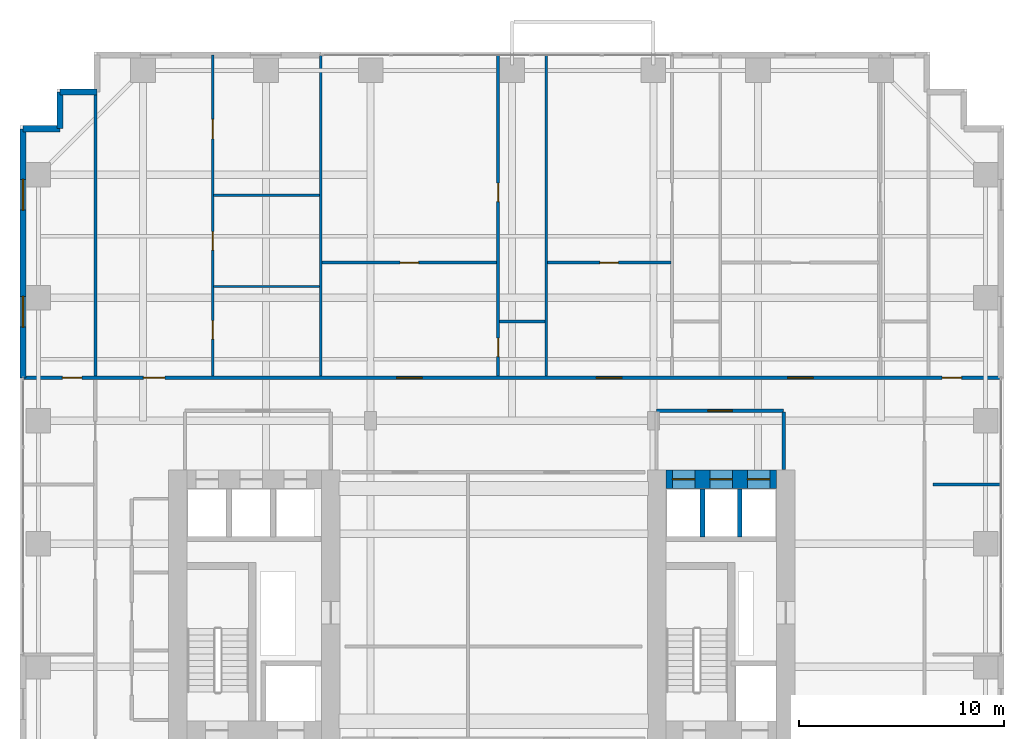
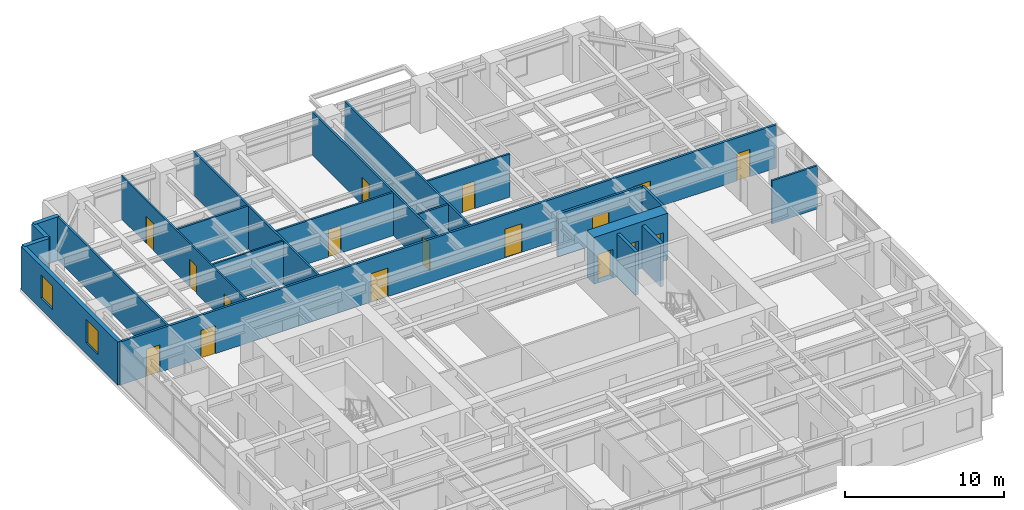
# One storey, part 22 of 24: 21 walls, 17 doors, 2 windows, 19 openings.
"""IFC4 building model written with IfcOpenShell, lengths in metres."""

from ifc_helpers import new_model, si_unit, direction, frame, frame_2d, origin, place, context, subcontext, project, spatial, rectangle, extrude, source, transform, mapped, material, layer, layer_set, type_object, element, fill, save


model = new_model("IFC4")

# Units and contexts
model_context = context("Model", 3, precision=1e-05, world=origin(), true_north=direction((0.0, 1.0)))
body_context = subcontext(model_context, "Body", "Model", "MODEL_VIEW")
ifc_project = project(units=[si_unit("LENGTHUNIT", "METRE"), si_unit("AREAUNIT", "SQUARE_METRE"), si_unit("VOLUMEUNIT", "CUBIC_METRE"), si_unit("PLANEANGLEUNIT", "RADIAN"), si_unit("MASSUNIT", "GRAM", prefix="KILO")], contexts=[model_context])

# Site, building, storey
site_placement = place(None, origin())
site = spatial("IfcSite", under=ifc_project, at=site_placement, CompositionType="ELEMENT")
building_placement = place(site_placement, origin())
building = spatial("IfcBuilding", under=site, at=building_placement, Name="Khoralis Quay Care Tower", CompositionType="ELEMENT")
storey_placement = place(building_placement, frame((0.0, 0.0, 54.89990234375)))
storey = spatial("IfcBuildingStorey", under=building, at=storey_placement, Name="L14", CompositionType="ELEMENT", Elevation=54.89990234375)

# Wall, openings, doors
ifc_material_1 = material(Name="Concrete C80/95", Category="concrete")
ifc_layer_1 = layer(ifc_material_1, 0.89990234375)
ifc_layer_set_1 = layer_set([ifc_layer_1], Name="Concrete C80/95")
wall_type_1 = type_object("IfcWallType", Name="WL-CORE-900", PredefinedType="SHEAR", material=ifc_layer_set_1)
wall_1_placement = place(storey_placement, frame((31.52001953125, 27.14990234375, 0.0), z_axis=(0.0, 0.0, 1.0), x_axis=(1.0, 0.0, 0.0)))
wall_1 = element("IfcWall", 1, at=wall_1_placement, inside=storey, type_object=wall_type_1, Name="L14 ECORE North Shear Wall", PredefinedType="SHEAR", context=body_context, shape_type="SweptSolid", body=[
    extrude(rectangle(XDim=5.3798828125, YDim=0.89990234375, at=frame_2d((2.68994140625, 0.0))), origin(), (0.0, 0.0, 1.0), 3.60009765625),
])
opening_1_placement = place(wall_1_placement, frame((0.300048828125, 0.0, 0.0)))
opening_1 = element("IfcOpeningElement", 2, at=opening_1_placement, cuts=wall_1, Name="Opening LD1", PredefinedType="OPENING", context=body_context, shape_type="SweptSolid", body=[
    extrude(rectangle(XDim=1.10009765625, YDim=2.199951171875, at=frame_2d((0.550048828125, 1.10009765625))), frame((0.0, 0.4599609375, 0.0), z_axis=(0.0, -1.0, 0.0), x_axis=(1.0, 0.0, 0.0)), (0.0, 0.0, 1.0), 0.919921875),
])
opening_2_placement = place(wall_1_placement, frame((2.1298828125, 0.0, 0.0)))
opening_2 = element("IfcOpeningElement", 3, at=opening_2_placement, cuts=wall_1, Name="Opening LD1", PredefinedType="OPENING", context=body_context, shape_type="SweptSolid", body=[
    extrude(rectangle(XDim=1.10009765625, YDim=2.199951171875, at=frame_2d((0.550048828125, 1.10009765625))), frame((0.0, 0.4599609375, 0.0), z_axis=(0.0, -1.0, 0.0), x_axis=(1.0, 0.0, 0.0)), (0.0, 0.0, 1.0), 0.919921875),
])
opening_3_placement = place(wall_1_placement, frame((3.9599609375, 0.0, 0.0)))
opening_3 = element("IfcOpeningElement", 4, at=opening_3_placement, cuts=wall_1, Name="Opening LD1", PredefinedType="OPENING", context=body_context, shape_type="SweptSolid", body=[
    extrude(rectangle(XDim=1.10009765625, YDim=2.199951171875, at=frame_2d((0.550048828125, 1.10009765625))), frame((0.0, 0.4599609375, 0.0), z_axis=(0.0, -1.0, 0.0), x_axis=(1.0, 0.0, 0.0)), (0.0, 0.0, 1.0), 0.919921875),
])
ifc_material_2 = material(Name="Brushed stainless steel", Category="steel")
door_type_1 = type_object("IfcDoorType", Name="DR-LIFT-1100X2200", OperationType="SLIDING_TO_LEFT", PredefinedType="DOOR", material=ifc_material_2)
shared_shape_1 = source(origin(), body_context, "Body", "SweptSolid", [
    extrude(rectangle(XDim=1.10009765625, YDim=2.199951171875, at=frame_2d((0.550048828125, 1.10009765625))), frame((0.0, 0.02490234375, 0.0), z_axis=(0.0, -1.0, 0.0), x_axis=(1.0, 0.0, 0.0)), (0.0, 0.0, 1.0), 0.050048828125),
])
door_1_placement = place(opening_1_placement, origin())
door_1 = element("IfcDoor", 5, at=door_1_placement, inside=storey, type_object=door_type_1, Name="L14 Lift PLL2 Landing Door", OperationType="SLIDING_TO_LEFT", OverallHeight=2.199951171875, OverallWidth=1.10009765625, PredefinedType="DOOR", context=body_context, shape_type="MappedRepresentation", body=[
    mapped(shared_shape_1, transform((0.0, 0.0, 0.0), scale=1.0)),
])
fill(opening_1, door_1)
door_2_placement = place(opening_2_placement, origin())
door_2 = element("IfcDoor", 6, at=door_2_placement, inside=storey, type_object=door_type_1, Name="L14 Lift PLM2 Landing Door", OperationType="SLIDING_TO_LEFT", OverallHeight=2.199951171875, OverallWidth=1.10009765625, PredefinedType="DOOR", context=body_context, shape_type="MappedRepresentation", body=[
    mapped(shared_shape_1, transform((0.0, 0.0, 0.0), scale=1.0)),
])
fill(opening_2, door_2)
door_3_placement = place(opening_3_placement, origin())
door_3 = element("IfcDoor", 7, at=door_3_placement, inside=storey, type_object=door_type_1, Name="L14 Lift PLH2 Landing Door", OperationType="SLIDING_TO_LEFT", OverallHeight=2.199951171875, OverallWidth=1.10009765625, PredefinedType="DOOR", context=body_context, shape_type="MappedRepresentation", body=[
    mapped(shared_shape_1, transform((0.0, 0.0, 0.0), scale=1.0)),
])
fill(opening_3, door_3)

# Wall, opening, door
ifc_material_3 = material(Name="Gypsum plasterboard on acoustic metal stud")
ifc_layer_2 = layer(ifc_material_3, 0.1650390625)
ifc_layer_set_2 = layer_set([ifc_layer_2], Name="Gypsum plasterboard on acoustic metal stud")
wall_type_2 = type_object("IfcWallType", Name="WL-CORR-165", PredefinedType="PARTITIONING", material=ifc_layer_set_2)
wall_2_placement = place(storey_placement, frame((31.050048828125, 30.5, 0.0), z_axis=(0.0, 0.0, 1.0), x_axis=(1.0, 0.0, 0.0)))
wall_2 = element("IfcWall", 8, at=wall_2_placement, inside=storey, type_object=wall_type_2, Name="L14 East Lift Lobby North Wall", PredefinedType="PARTITIONING", context=body_context, shape_type="SweptSolid", body=[
    extrude(rectangle(XDim=6.199951171875, YDim=0.1650390625, at=frame_2d((3.10009765625, 0.0))), origin(), (0.0, 0.0, 1.0), 3.320068359375),
])
opening_4_placement = place(wall_2_placement, frame((2.5, 0.0, 0.0)))
opening_4 = element("IfcOpeningElement", 9, at=opening_4_placement, cuts=wall_2, Name="Opening FD1", PredefinedType="OPENING", context=body_context, shape_type="SweptSolid", body=[
    extrude(rectangle(XDim=1.199951171875, YDim=2.199951171875, at=frame_2d((0.60009765625, 1.10009765625))), frame((0.0, 0.092529296875, 0.0), z_axis=(0.0, -1.0, 0.0), x_axis=(1.0, 0.0, 0.0)), (0.0, 0.0, 1.0), 0.18505859375),
])
ifc_material_4 = material(Name="Fire-rated painted steel", Category="steel")
door_type_2 = type_object("IfcDoorType", Name="DR-FFL-1200X2200", OperationType="NOTDEFINED", PredefinedType="DOOR", material=ifc_material_4)
shared_shape_2 = source(origin(), body_context, "Body", "SweptSolid", [
    extrude(rectangle(XDim=1.199951171875, YDim=2.199951171875, at=frame_2d((0.60009765625, 1.10009765625))), frame((0.0, 0.02490234375, 0.0), z_axis=(0.0, -1.0, 0.0), x_axis=(1.0, 0.0, 0.0)), (0.0, 0.0, 1.0), 0.050048828125),
])
door_4_placement = place(opening_4_placement, origin())
door_4 = element("IfcDoor", 10, at=door_4_placement, inside=storey, type_object=door_type_2, Name="L14 East Lift Lobby Double Door", OperationType="DOUBLE_DOOR_SINGLE_SWING", OverallHeight=2.199951171875, OverallWidth=1.199951171875, PredefinedType="DOOR", context=body_context, shape_type="MappedRepresentation", body=[
    mapped(shared_shape_2, transform((0.0, 0.0, 0.0), scale=1.0)),
])
fill(opening_4, door_4)

# Wall
wall_3_placement = place(storey_placement, frame((37.25, 27.6201171875, 0.0), z_axis=(0.0, 0.0, 1.0), x_axis=(0.0, 1.0, 0.0)))
element("IfcWall", 11, at=wall_3_placement, inside=storey, type_object=wall_type_2, Name="L14 East Lift Lobby East Wall", PredefinedType="PARTITIONING", context=body_context, shape_type="SweptSolid", body=[
    extrude(rectangle(XDim=2.802490234375, YDim=0.1650390625, at=frame_2d((1.4013671875, 0.0))), origin(), (0.0, 0.0, 1.0), 3.320068359375),
])

# Wall, openings, doors
wall_4_placement = place(storey_placement, frame((0.14501953125, 32.10009765625, 0.0), z_axis=(0.0, 0.0, 1.0), x_axis=(1.0, 0.0, 0.0)))
wall_4 = element("IfcWall", 12, at=wall_4_placement, inside=storey, type_object=wall_type_2, Name="L14 North Main Corridor Wall", PredefinedType="PARTITIONING", context=body_context, shape_type="SweptSolid", body=[
    extrude(rectangle(XDim=47.7099609375, YDim=0.1650390625, at=frame_2d((23.85498046875, 0.0))), origin(), (0.0, 0.0, 1.0), 3.320068359375),
])
opening_5_placement = place(wall_4_placement, frame((5.867431640625, 0.0, 0.0)))
opening_5 = element("IfcOpeningElement", 13, at=opening_5_placement, cuts=wall_4, Name="Opening UD1", PredefinedType="OPENING", context=body_context, shape_type="SweptSolid", body=[
    extrude(rectangle(XDim=1.050048828125, YDim=2.14990234375, at=frame_2d((0.52490234375, 1.074951171875))), frame((0.0, 0.092529296875, 0.0), z_axis=(0.0, -1.0, 0.0), x_axis=(1.0, 0.0, 0.0)), (0.0, 0.0, 1.0), 0.18505859375),
])
opening_6_placement = place(wall_4_placement, frame((18.22509765625, 0.0, 0.0)))
opening_6 = element("IfcOpeningElement", 14, at=opening_6_placement, cuts=wall_4, Name="Opening CD1", PredefinedType="OPENING", context=body_context, shape_type="SweptSolid", body=[
    extrude(rectangle(XDim=1.25, YDim=2.199951171875, at=frame_2d((0.625, 1.10009765625))), frame((0.0, 0.092529296875, 0.0), z_axis=(0.0, -1.0, 0.0), x_axis=(1.0, 0.0, 0.0)), (0.0, 0.0, 1.0), 0.18505859375),
])
opening_7_placement = place(wall_4_placement, frame((27.969970703125, 0.0, 0.0)))
opening_7 = element("IfcOpeningElement", 15, at=opening_7_placement, cuts=wall_4, Name="Opening CD1", PredefinedType="OPENING", context=body_context, shape_type="SweptSolid", body=[
    extrude(rectangle(XDim=1.25, YDim=2.199951171875, at=frame_2d((0.625, 1.10009765625))), frame((0.0, 0.092529296875, 0.0), z_axis=(0.0, -1.0, 0.0), x_axis=(1.0, 0.0, 0.0)), (0.0, 0.0, 1.0), 0.18505859375),
])
opening_8_placement = place(wall_4_placement, frame((37.294921875, 0.0, 0.0)))
opening_8 = element("IfcOpeningElement", 16, at=opening_8_placement, cuts=wall_4, Name="Opening CD1", PredefinedType="OPENING", context=body_context, shape_type="SweptSolid", body=[
    extrude(rectangle(XDim=1.25, YDim=2.199951171875, at=frame_2d((0.625, 1.10009765625))), frame((0.0, 0.092529296875, 0.0), z_axis=(0.0, -1.0, 0.0), x_axis=(1.0, 0.0, 0.0)), (0.0, 0.0, 1.0), 0.18505859375),
])
opening_9_placement = place(wall_4_placement, frame((1.919921875, 0.0, 0.0)))
opening_9 = element("IfcOpeningElement", 17, at=opening_9_placement, cuts=wall_4, Name="Opening ID1", PredefinedType="OPENING", context=body_context, shape_type="SweptSolid", body=[
    extrude(rectangle(XDim=0.949951171875, YDim=2.10009765625, at=frame_2d((0.47509765625, 1.050048828125))), frame((0.0, 0.092529296875, 0.0), z_axis=(0.0, -1.0, 0.0), x_axis=(1.0, 0.0, 0.0)), (0.0, 0.0, 1.0), 0.18505859375),
])
opening_10_placement = place(wall_4_placement, frame((44.840087890625, 0.0, 0.0)))
opening_10 = element("IfcOpeningElement", 18, at=opening_10_placement, cuts=wall_4, Name="Opening ID1", PredefinedType="OPENING", context=body_context, shape_type="SweptSolid", body=[
    extrude(rectangle(XDim=0.949951171875, YDim=2.10009765625, at=frame_2d((0.47509765625, 1.050048828125))), frame((0.0, 0.092529296875, 0.0), z_axis=(0.0, -1.0, 0.0), x_axis=(1.0, 0.0, 0.0)), (0.0, 0.0, 1.0), 0.18505859375),
])
ifc_material_5 = material(Name="Acoustic hardwood timber", Category="wood")
door_type_3 = type_object("IfcDoorType", Name="DR-CARE-1250X2200", OperationType="NOTDEFINED", PredefinedType="DOOR", material=ifc_material_5)
shared_shape_3 = source(origin(), body_context, "Body", "SweptSolid", [
    extrude(rectangle(XDim=1.25, YDim=2.199951171875, at=frame_2d((0.625, 1.10009765625))), frame((0.0, 0.02490234375, 0.0), z_axis=(0.0, -1.0, 0.0), x_axis=(1.0, 0.0, 0.0)), (0.0, 0.0, 1.0), 0.050048828125),
])
door_5_placement = place(opening_6_placement, origin())
door_5 = element("IfcDoor", 19, at=door_5_placement, inside=storey, type_object=door_type_3, Name="L14 Care Suite NB1 Clinical Door", OperationType="SINGLE_SWING_LEFT", OverallHeight=2.199951171875, OverallWidth=1.25, PredefinedType="DOOR", context=body_context, shape_type="MappedRepresentation", body=[
    mapped(shared_shape_3, transform((0.0, 0.0, 0.0), scale=1.0)),
])
fill(opening_6, door_5)
door_6_placement = place(opening_7_placement, origin())
door_6 = element("IfcDoor", 20, at=door_6_placement, inside=storey, type_object=door_type_3, Name="L14 Care Suite NB2 Clinical Door", OperationType="SINGLE_SWING_RIGHT", OverallHeight=2.199951171875, OverallWidth=1.25, PredefinedType="DOOR", context=body_context, shape_type="MappedRepresentation", body=[
    mapped(shared_shape_3, transform((0.0, 0.0, 0.0), scale=1.0)),
])
fill(opening_7, door_6)
door_7_placement = place(opening_8_placement, origin())
door_7 = element("IfcDoor", 21, at=door_7_placement, inside=storey, type_object=door_type_3, Name="L14 Care Suite NB3 Clinical Door", OperationType="SINGLE_SWING_LEFT", OverallHeight=2.199951171875, OverallWidth=1.25, PredefinedType="DOOR", context=body_context, shape_type="MappedRepresentation", body=[
    mapped(shared_shape_3, transform((0.0, 0.0, 0.0), scale=1.0)),
])
fill(opening_8, door_7)
door_type_4 = type_object("IfcDoorType", Name="DR-ROOM-950X2100", OperationType="NOTDEFINED", PredefinedType="DOOR", material=ifc_material_5)
shared_shape_4 = source(origin(), body_context, "Body", "SweptSolid", [
    extrude(rectangle(XDim=0.949951171875, YDim=2.10009765625, at=frame_2d((0.47509765625, 1.050048828125))), frame((0.0, 0.02490234375, 0.0), z_axis=(0.0, -1.0, 0.0), x_axis=(1.0, 0.0, 0.0)), (0.0, 0.0, 1.0), 0.050048828125),
])
door_8_placement = place(opening_9_placement, origin())
door_8 = element("IfcDoor", 22, at=door_8_placement, inside=storey, type_object=door_type_4, Name="L14 NW Corner Door", OperationType="SINGLE_SWING_RIGHT", OverallHeight=2.10009765625, OverallWidth=0.949951171875, PredefinedType="DOOR", context=body_context, shape_type="MappedRepresentation", body=[
    mapped(shared_shape_4, transform((0.0, 0.0, 0.0), scale=1.0)),
])
fill(opening_9, door_8)
door_9_placement = place(opening_10_placement, origin())
door_9 = element("IfcDoor", 23, at=door_9_placement, inside=storey, type_object=door_type_4, Name="L14 NE Corner Door", OperationType="SINGLE_SWING_LEFT", OverallHeight=2.10009765625, OverallWidth=0.949951171875, PredefinedType="DOOR", context=body_context, shape_type="MappedRepresentation", body=[
    mapped(shared_shape_4, transform((0.0, 0.0, 0.0), scale=1.0)),
])
fill(opening_10, door_9)
door_type_5 = type_object("IfcDoorType", Name="DR-SUITE-1050X2150", OperationType="NOTDEFINED", PredefinedType="DOOR", material=ifc_material_5)
shared_shape_5 = source(origin(), body_context, "Body", "SweptSolid", [
    extrude(rectangle(XDim=1.050048828125, YDim=2.14990234375, at=frame_2d((0.52490234375, 1.074951171875))), frame((0.0, 0.02490234375, 0.0), z_axis=(0.0, -1.0, 0.0), x_axis=(1.0, 0.0, 0.0)), (0.0, 0.0, 1.0), 0.050048828125),
])
door_10_placement = place(opening_5_placement, origin())
door_10 = element("IfcDoor", 24, at=door_10_placement, inside=storey, type_object=door_type_5, Name="L14 Apartment NB0 Entrance Door", OperationType="SINGLE_SWING_RIGHT", OverallHeight=2.14990234375, OverallWidth=1.050048828125, PredefinedType="DOOR", context=body_context, shape_type="MappedRepresentation", body=[
    mapped(shared_shape_5, transform((0.0, 0.0, 0.0), scale=1.0)),
])
fill(opening_5, door_10)

# Walls
ifc_material_6 = material(Name="Precast concrete C45/55", Category="concrete")
ifc_layer_3 = layer(ifc_material_6, 0.300048828125)
ifc_layer_set_3 = layer_set([ifc_layer_3], Name="Precast concrete C45/55")
wall_type_3 = type_object("IfcWallType", Name="WL-EXT-REF-300", PredefinedType="SOLIDWALL", material=ifc_layer_set_3)
for number, where, z_axis, x_axis, name in (
    (25, (3.75, 46.050048828125, 0.0), (0.0, 0.0, 1.0), (-1.0, 0.0, 0.0), "L14 External Facade Wall WL-EXT-L14-P1-C12"),
    (26, (1.949951171875, 46.050048828125, 0.0), (0.0, 0.0, 1.0), (0.0, -1.0, 0.0), "L14 External Facade Wall WL-EXT-L14-P1-C13"),
    (27, (1.949951171875, 44.25, 0.0), (0.0, 0.0, 1.0), (-1.0, 0.0, 0.0), "L14 External Facade Wall WL-EXT-L14-P1-C14"),
):
    element("IfcWall", number, at=place(storey_placement, frame(where, z_axis=z_axis, x_axis=x_axis)), inside=storey, type_object=wall_type_3, Name=name, PredefinedType="SOLIDWALL", context=body_context, shape_type="SweptSolid", body=[
        extrude(rectangle(XDim=1.800048828125, YDim=0.300048828125, at=frame_2d((0.89990234375, 0.0))), origin(), (0.0, 0.0, 1.0), 3.320068359375),
    ])

# Wall, openings, windows
wall_5_placement = place(storey_placement, frame((0.14990234375, 44.25, 0.0), z_axis=(0.0, 0.0, 1.0), x_axis=(0.0, -1.0, 0.0)))
wall_5 = element("IfcWall", 28, at=wall_5_placement, inside=storey, type_object=wall_type_3, Name="L14 External Facade Wall WL-EXT-L14-P1-E15A", PredefinedType="SOLIDWALL", context=body_context, shape_type="SweptSolid", body=[
    extrude(rectangle(XDim=12.14990234375, YDim=0.300048828125, at=frame_2d((6.074951171875, 0.0))), origin(), (0.0, 0.0, 1.0), 3.320068359375),
])
opening_11_placement = place(wall_5_placement, frame((2.467529296875, 0.0, 0.85009765625)))
opening_11 = element("IfcOpeningElement", 29, at=opening_11_placement, cuts=wall_5, Name="Opening W3", PredefinedType="OPENING", context=body_context, shape_type="SweptSolid", body=[
    extrude(rectangle(XDim=1.5, YDim=1.800048828125, at=frame_2d((0.75, 0.89990234375))), frame((0.0, 0.16015625, 0.0), z_axis=(0.0, -1.0, 0.0), x_axis=(1.0, 0.0, 0.0)), (0.0, 0.0, 1.0), 0.320068359375),
])
opening_12_placement = place(wall_5_placement, frame((8.1826171875, 0.0, 0.85009765625)))
opening_12 = element("IfcOpeningElement", 30, at=opening_12_placement, cuts=wall_5, Name="Opening W3", PredefinedType="OPENING", context=body_context, shape_type="SweptSolid", body=[
    extrude(rectangle(XDim=1.5, YDim=1.800048828125, at=frame_2d((0.75, 0.89990234375))), frame((0.0, 0.16015625, 0.0), z_axis=(0.0, -1.0, 0.0), x_axis=(1.0, 0.0, 0.0)), (0.0, 0.0, 1.0), 0.320068359375),
])
ifc_material_7 = material(Name="Low-E solar-control double glazing", Category="glass")
window_type = type_object("IfcWindowType", Name="WN-CLIN-1500X1800", PartitioningType="SINGLE_PANEL", PredefinedType="WINDOW", material=ifc_material_7)
shared_shape_6 = source(origin(), body_context, "Body", "SweptSolid", [
    extrude(rectangle(XDim=1.5, YDim=1.800048828125, at=frame_2d((0.75, 0.89990234375))), frame((0.0, 0.030029296875, 0.0), z_axis=(0.0, -1.0, 0.0), x_axis=(1.0, 0.0, 0.0)), (0.0, 0.0, 1.0), 0.06005859375),
])
window_1_placement = place(opening_11_placement, origin())
window_1 = element("IfcWindow", 31, at=window_1_placement, inside=storey, type_object=window_type, Name="WN-L14-P1-E15A Facade Window 01", OverallHeight=1.800048828125, OverallWidth=1.5, PartitioningType="SINGLE_PANEL", PredefinedType="WINDOW", context=body_context, shape_type="MappedRepresentation", body=[
    mapped(shared_shape_6, transform((0.0, 0.0, 0.0), scale=1.0)),
])
fill(opening_11, window_1)
window_2_placement = place(opening_12_placement, origin())
window_2 = element("IfcWindow", 32, at=window_2_placement, inside=storey, type_object=window_type, Name="WN-L14-P1-E15A Facade Window 02", OverallHeight=1.800048828125, OverallWidth=1.5, PartitioningType="SINGLE_PANEL", PredefinedType="WINDOW", context=body_context, shape_type="MappedRepresentation", body=[
    mapped(shared_shape_6, transform((0.0, 0.0, 0.0), scale=1.0)),
])
fill(opening_12, window_2)

# Wall, openings, doors
ifc_layer_4 = layer(ifc_material_3, 0.114990234375)
ifc_layer_set_4 = layer_set([ifc_layer_4], Name="Gypsum plasterboard on acoustic metal stud")
wall_type_4 = type_object("IfcWallType", Name="WL-PART-115", PredefinedType="PARTITIONING", material=ifc_layer_set_4)
wall_6_placement = place(storey_placement, frame((9.39501953125, 32.177490234375, 0.0), z_axis=(0.0, 0.0, 1.0), x_axis=(0.0, 1.0, 0.0)))
wall_6 = element("IfcWall", 33, at=wall_6_placement, inside=storey, type_object=wall_type_4, Name="L14 Unit 0 Internal Wall", PredefinedType="PARTITIONING", context=body_context, shape_type="SweptSolid", body=[
    extrude(rectangle(XDim=15.677490234375, YDim=0.114990234375, at=frame_2d((7.8388671875, 0.0))), origin(), (0.0, 0.0, 1.0), 3.320068359375),
])
opening_13_placement = place(wall_6_placement, frame((11.574462890625, 0.0, 0.0)))
opening_13 = element("IfcOpeningElement", 34, at=opening_13_placement, cuts=wall_6, Name="Opening ID1", PredefinedType="OPENING", context=body_context, shape_type="SweptSolid", body=[
    extrude(rectangle(XDim=0.949951171875, YDim=2.10009765625, at=frame_2d((0.47509765625, 1.050048828125))), frame((0.0, 0.0673828125, 0.0), z_axis=(0.0, -1.0, 0.0), x_axis=(1.0, 0.0, 0.0)), (0.0, 0.0, 1.0), 0.135009765625),
])
opening_14_placement = place(wall_6_placement, frame((6.150390625, 0.0, 0.0)))
opening_14 = element("IfcOpeningElement", 35, at=opening_14_placement, cuts=wall_6, Name="Opening WD1", PredefinedType="OPENING", context=body_context, shape_type="SweptSolid", body=[
    extrude(rectangle(XDim=0.89990234375, YDim=2.10009765625, at=frame_2d((0.449951171875, 1.050048828125))), frame((0.0, 0.0673828125, 0.0), z_axis=(0.0, -1.0, 0.0), x_axis=(1.0, 0.0, 0.0)), (0.0, 0.0, 1.0), 0.135009765625),
])
opening_15_placement = place(wall_6_placement, frame((1.8134765625, 0.0, 0.0)))
opening_15 = element("IfcOpeningElement", 36, at=opening_15_placement, cuts=wall_6, Name="Opening WD1", PredefinedType="OPENING", context=body_context, shape_type="SweptSolid", body=[
    extrude(rectangle(XDim=0.89990234375, YDim=2.10009765625, at=frame_2d((0.449951171875, 1.050048828125))), frame((0.0, 0.0673828125, 0.0), z_axis=(0.0, -1.0, 0.0), x_axis=(1.0, 0.0, 0.0)), (0.0, 0.0, 1.0), 0.135009765625),
])
door_type_6 = type_object("IfcDoorType", Name="DR-BATH-900X2100", OperationType="NOTDEFINED", PredefinedType="DOOR", material=ifc_material_5)
shared_shape_7 = source(origin(), body_context, "Body", "SweptSolid", [
    extrude(rectangle(XDim=0.89990234375, YDim=2.10009765625, at=frame_2d((0.449951171875, 1.050048828125))), frame((0.0, 0.02490234375, 0.0), z_axis=(0.0, -1.0, 0.0), x_axis=(1.0, 0.0, 0.0)), (0.0, 0.0, 1.0), 0.050048828125),
])
door_11_placement = place(opening_14_placement, frame((0.89990234375, 0.0, 0.0), z_axis=(0.0, 0.0, 1.0), x_axis=(-1.0, 0.0, 0.0)))
door_11 = element("IfcDoor", 37, at=door_11_placement, inside=storey, type_object=door_type_6, Name="L14 Apartment NB0 KIT Door", OperationType="SINGLE_SWING_RIGHT", OverallHeight=2.10009765625, OverallWidth=0.89990234375, PredefinedType="DOOR", context=body_context, shape_type="MappedRepresentation", body=[
    mapped(shared_shape_7, transform((0.0, 0.0, 0.0), scale=1.0)),
])
fill(opening_14, door_11)
door_12_placement = place(opening_15_placement, frame((0.89990234375, 0.0, 0.0), z_axis=(0.0, 0.0, 1.0), x_axis=(-1.0, 0.0, 0.0)))
door_12 = element("IfcDoor", 38, at=door_12_placement, inside=storey, type_object=door_type_6, Name="L14 Apartment NB0 BTH Door", OperationType="SINGLE_SWING_LEFT", OverallHeight=2.10009765625, OverallWidth=0.89990234375, PredefinedType="DOOR", context=body_context, shape_type="MappedRepresentation", body=[
    mapped(shared_shape_7, transform((0.0, 0.0, 0.0), scale=1.0)),
])
fill(opening_15, door_12)
door_13_placement = place(opening_13_placement, frame((0.949951171875, 0.0, 0.0), z_axis=(0.0, 0.0, 1.0), x_axis=(-1.0, 0.0, 0.0)))
door_13 = element("IfcDoor", 39, at=door_13_placement, inside=storey, type_object=door_type_4, Name="L14 Apartment NB0 BED Door", OperationType="SINGLE_SWING_LEFT", OverallHeight=2.10009765625, OverallWidth=0.949951171875, PredefinedType="DOOR", context=body_context, shape_type="MappedRepresentation", body=[
    mapped(shared_shape_4, transform((0.0, 0.0, 0.0), scale=1.0)),
])
fill(opening_13, door_13)

# Walls
wall_7_placement = place(storey_placement, frame((9.447509765625, 36.552001953125, 0.0), z_axis=(0.0, 0.0, 1.0), x_axis=(1.0, 0.0, 0.0)))
element("IfcWall", 40, at=wall_7_placement, inside=storey, type_object=wall_type_4, Name="L14 Unit 0 Kitchen Wall", PredefinedType="PARTITIONING", context=body_context, shape_type="SweptSolid", body=[
    extrude(rectangle(XDim=5.157470703125, YDim=0.114990234375, at=frame_2d((2.57861328125, 0.0))), origin(), (0.0, 0.0, 1.0), 3.320068359375),
])
ifc_material_8 = material(Name="Moisture-resistant gypsum and ceramic tile")
ifc_layer_5 = layer(ifc_material_8, 0.280029296875)
ifc_layer_set_5 = layer_set([ifc_layer_5], Name="Moisture-resistant gypsum and ceramic tile")
wall_type_5 = type_object("IfcWallType", Name="WL-PLUMB-280", PredefinedType="PLUMBINGWALL", material=ifc_layer_set_5)
wall_8_placement = place(storey_placement, frame((9.447509765625, 41.00390625, 0.0), z_axis=(0.0, 0.0, 1.0), x_axis=(1.0, 0.0, 0.0)))
element("IfcWall", 41, at=wall_8_placement, inside=storey, type_object=wall_type_5, Name="L14 Unit 0 Wet Wall", PredefinedType="PLUMBINGWALL", context=body_context, shape_type="SweptSolid", body=[
    extrude(rectangle(XDim=5.157470703125, YDim=0.139892578125, at=frame_2d((2.57861328125, 0.0))), origin(), (0.0, 0.0, 1.0), 3.320068359375),
])

# Wall, openings, doors
wall_9_placement = place(storey_placement, frame((23.320068359375, 32.177490234375, 0.0), z_axis=(0.0, 0.0, 1.0), x_axis=(0.0, 1.0, 0.0)))
wall_9 = element("IfcWall", 42, at=wall_9_placement, inside=storey, type_object=wall_type_5, Name="L14 Care Suite 1 En-Suite Wall V", PredefinedType="PLUMBINGWALL", context=body_context, shape_type="SweptSolid", body=[
    extrude(rectangle(XDim=15.677490234375, YDim=0.139892578125, at=frame_2d((7.8388671875, 0.0))), origin(), (0.0, 0.0, 1.0), 3.320068359375),
])
opening_16_placement = place(wall_9_placement, frame((0.96240234375, 0.0, 0.0)))
opening_16 = element("IfcOpeningElement", 43, at=opening_16_placement, cuts=wall_9, Name="Opening WD1", PredefinedType="OPENING", context=body_context, shape_type="SweptSolid", body=[
    extrude(rectangle(XDim=0.89990234375, YDim=2.10009765625, at=frame_2d((0.449951171875, 1.050048828125))), frame((0.0, 0.080078125, 0.0), z_axis=(0.0, -1.0, 0.0), x_axis=(1.0, 0.0, 0.0)), (0.0, 0.0, 1.0), 0.159912109375),
])
opening_17_placement = place(wall_9_placement, frame((8.5224609375, 0.0, 0.0)))
opening_17 = element("IfcOpeningElement", 44, at=opening_17_placement, cuts=wall_9, Name="Opening WD1", PredefinedType="OPENING", context=body_context, shape_type="SweptSolid", body=[
    extrude(rectangle(XDim=0.89990234375, YDim=2.10009765625, at=frame_2d((0.449951171875, 1.050048828125))), frame((0.0, 0.080078125, 0.0), z_axis=(0.0, -1.0, 0.0), x_axis=(1.0, 0.0, 0.0)), (0.0, 0.0, 1.0), 0.159912109375),
])
door_14_placement = place(opening_16_placement, frame((0.89990234375, 0.0, 0.0), z_axis=(0.0, 0.0, 1.0), x_axis=(-1.0, 0.0, 0.0)))
door_14 = element("IfcDoor", 45, at=door_14_placement, inside=storey, type_object=door_type_6, Name="L14 Care CENS Door", OperationType="SINGLE_SWING_RIGHT", OverallHeight=2.10009765625, OverallWidth=0.89990234375, PredefinedType="DOOR", context=body_context, shape_type="MappedRepresentation", body=[
    mapped(shared_shape_7, transform((0.0, 0.0, 0.0), scale=1.0)),
])
fill(opening_16, door_14)
door_15_placement = place(opening_17_placement, frame((0.89990234375, 0.0, 0.0), z_axis=(0.0, 0.0, 1.0), x_axis=(-1.0, 0.0, 0.0)))
door_15 = element("IfcDoor", 46, at=door_15_placement, inside=storey, type_object=door_type_6, Name="L14 Care CSIT Door", OperationType="SINGLE_SWING_LEFT", OverallHeight=2.10009765625, OverallWidth=0.89990234375, PredefinedType="DOOR", context=body_context, shape_type="MappedRepresentation", body=[
    mapped(shared_shape_7, transform((0.0, 0.0, 0.0), scale=1.0)),
])
fill(opening_17, door_15)

# Walls
wall_10_placement = place(storey_placement, frame((23.385009765625, 34.85009765625, 0.0), z_axis=(0.0, 0.0, 1.0), x_axis=(1.0, 0.0, 0.0)))
element("IfcWall", 47, at=wall_10_placement, inside=storey, type_object=wall_type_5, Name="L14 Care Suite 1 En-Suite Wall H", PredefinedType="PLUMBINGWALL", context=body_context, shape_type="SweptSolid", body=[
    extrude(rectangle(XDim=2.219970703125, YDim=0.139892578125, at=frame_2d((1.10986328125, 0.0))), origin(), (0.0, 0.0, 1.0), 3.320068359375),
])
ifc_layer_6 = layer(ifc_material_3, 0.239990234375)
ifc_layer_set_6 = layer_set([ifc_layer_6], Name="Gypsum plasterboard on acoustic metal stud")
wall_type_6 = type_object("IfcWallType", Name="WL-SHAFT-240", PredefinedType="PARTITIONING", material=ifc_layer_set_6)
for number, where, z_axis, x_axis, name in (
    (48, (33.2900390625, 24.344970703125, 0.0), (0.0, 0.0, 1.0), (0.0, 1.0, 0.0), "L14 East Shaft Divider 1"),
    (49, (35.110107421875, 24.344970703125, 0.0), (0.0, 0.0, 1.0), (0.0, 1.0, 0.0), "L14 East Shaft Divider 2"),
):
    element("IfcWall", number, at=place(storey_placement, frame(where, z_axis=z_axis, x_axis=x_axis)), inside=storey, type_object=wall_type_6, Name=name, PredefinedType="PARTITIONING", context=body_context, shape_type="SweptSolid", body=[
        extrude(rectangle(XDim=2.3349609375, YDim=0.239990234375, at=frame_2d((1.16748046875, 0.0))), origin(), (0.0, 0.0, 1.0), 3.320068359375),
    ])
ifc_layer_7 = layer(ifc_material_3, 0.139892578125)
ifc_layer_set_7 = layer_set([ifc_layer_7], Name="Gypsum plasterboard on acoustic metal stud")
wall_type_7 = type_object("IfcWallType", Name="WL-UNIT-140", PredefinedType="PARTITIONING", material=ifc_layer_set_7)
wall_11_placement = place(storey_placement, frame((44.5400390625, 26.89990234375, 0.0), z_axis=(0.0, 0.0, 1.0), x_axis=(1.0, 0.0, 0.0)))
element("IfcWall", 50, at=wall_11_placement, inside=storey, type_object=wall_type_7, Name="L14 EE Divider 2", PredefinedType="PARTITIONING", context=body_context, shape_type="SweptSolid", body=[
    extrude(rectangle(XDim=3.31494140625, YDim=0.139892578125, at=frame_2d((1.657470703125, 0.0))), origin(), (0.0, 0.0, 1.0), 3.320068359375),
])
wall_12_placement = place(storey_placement, frame((3.679931640625, 32.177490234375, 0.0), z_axis=(0.0, 0.0, 1.0), x_axis=(0.0, 1.0, 0.0)))
element("IfcWall", 51, at=wall_12_placement, inside=storey, type_object=wall_type_7, Name="L14 NB Demising Wall 0", PredefinedType="PARTITIONING", context=body_context, shape_type="SweptSolid", body=[
    extrude(rectangle(XDim=13.87744140625, YDim=0.139892578125, at=frame_2d((6.938720703125, 0.0))), origin(), (0.0, 0.0, 1.0), 3.320068359375),
])
for number, where, z_axis, x_axis, name in (
    (52, (14.669921875, 32.177490234375, 0.0), (0.0, 0.0, 1.0), (0.0, 1.0, 0.0), "L14 NB Demising Wall 1"),
    (53, (25.669921875, 32.177490234375, 0.0), (0.0, 0.0, 1.0), (0.0, 1.0, 0.0), "L14 NB Demising Wall 2"),
):
    element("IfcWall", number, at=place(storey_placement, frame(where, z_axis=z_axis, x_axis=x_axis)), inside=storey, type_object=wall_type_7, Name=name, PredefinedType="PARTITIONING", context=body_context, shape_type="SweptSolid", body=[
        extrude(rectangle(XDim=15.677490234375, YDim=0.139892578125, at=frame_2d((7.8388671875, 0.0))), origin(), (0.0, 0.0, 1.0), 3.320068359375),
    ])

# Wall, opening, door
wall_13_placement = place(storey_placement, frame((14.735107421875, 37.719970703125, 0.0), z_axis=(0.0, 0.0, 1.0), x_axis=(1.0, 0.0, 0.0)))
wall_13 = element("IfcWall", 54, at=wall_13_placement, inside=storey, type_object=wall_type_7, Name="Skilled Care Bedroom L14-NB1 Sub-Partition", PredefinedType="PARTITIONING", context=body_context, shape_type="SweptSolid", body=[
    extrude(rectangle(XDim=8.519775390625, YDim=0.139892578125, at=frame_2d((4.259765625, 0.0))), origin(), (0.0, 0.0, 1.0), 3.320068359375),
])
opening_18_placement = place(wall_13_placement, frame((3.81005859375, 0.0, 0.0)))
opening_18 = element("IfcOpeningElement", 55, at=opening_18_placement, cuts=wall_13, Name="Opening WD1", PredefinedType="OPENING", context=body_context, shape_type="SweptSolid", body=[
    extrude(rectangle(XDim=0.89990234375, YDim=2.10009765625, at=frame_2d((0.449951171875, 1.050048828125))), frame((0.0, 0.080078125, 0.0), z_axis=(0.0, -1.0, 0.0), x_axis=(1.0, 0.0, 0.0)), (0.0, 0.0, 1.0), 0.159912109375),
])
door_16_placement = place(opening_18_placement, frame((0.89990234375, 0.0, 0.0), z_axis=(0.0, 0.0, 1.0), x_axis=(-1.0, 0.0, 0.0)))
door_16 = element("IfcDoor", 56, at=door_16_placement, inside=storey, type_object=door_type_6, Name="Private Study & Reading Alcove ARE1 Door", OperationType="SINGLE_SWING_LEFT", OverallHeight=2.10009765625, OverallWidth=0.89990234375, PredefinedType="DOOR", context=body_context, shape_type="MappedRepresentation", body=[
    mapped(shared_shape_7, transform((0.0, 0.0, 0.0), scale=1.0)),
])
fill(opening_18, door_16)

wall_14_placement = place(storey_placement, frame((25.735107421875, 37.719970703125, 0.0), z_axis=(0.0, 0.0, 1.0), x_axis=(1.0, 0.0, 0.0)))
wall_14 = element("IfcWall", 57, at=wall_14_placement, inside=storey, type_object=wall_type_7, Name="Skilled Care Bedroom L14-NB2 Sub-Partition", PredefinedType="PARTITIONING", context=body_context, shape_type="SweptSolid", body=[
    extrude(rectangle(XDim=6.010009765625, YDim=0.139892578125, at=frame_2d((3.0048828125, 0.0))), origin(), (0.0, 0.0, 1.0), 3.320068359375),
])
opening_19_placement = place(wall_14_placement, frame((2.554931640625, 0.0, 0.0)))
opening_19 = element("IfcOpeningElement", 58, at=opening_19_placement, cuts=wall_14, Name="Opening WD1", PredefinedType="OPENING", context=body_context, shape_type="SweptSolid", body=[
    extrude(rectangle(XDim=0.89990234375, YDim=2.10009765625, at=frame_2d((0.449951171875, 1.050048828125))), frame((0.0, 0.080078125, 0.0), z_axis=(0.0, -1.0, 0.0), x_axis=(1.0, 0.0, 0.0)), (0.0, 0.0, 1.0), 0.159912109375),
])
door_17_placement = place(opening_19_placement, frame((0.89990234375, 0.0, 0.0), z_axis=(0.0, 0.0, 1.0), x_axis=(-1.0, 0.0, 0.0)))
door_17 = element("IfcDoor", 59, at=door_17_placement, inside=storey, type_object=door_type_6, Name="Private Study & Reading Alcove ARE2 Door", OperationType="SINGLE_SWING_LEFT", OverallHeight=2.10009765625, OverallWidth=0.89990234375, PredefinedType="DOOR", context=body_context, shape_type="MappedRepresentation", body=[
    mapped(shared_shape_7, transform((0.0, 0.0, 0.0), scale=1.0)),
])
fill(opening_19, door_17)

save(model, "model.ifc")
